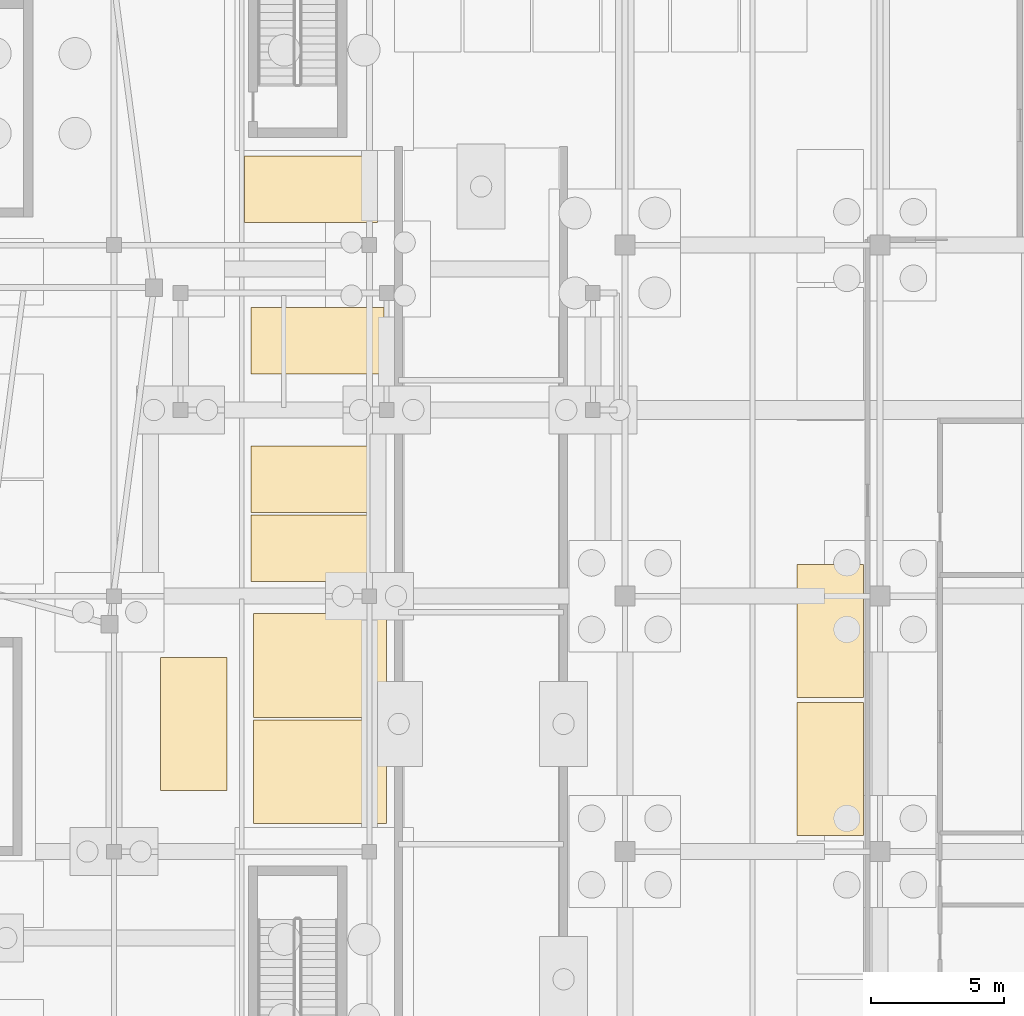
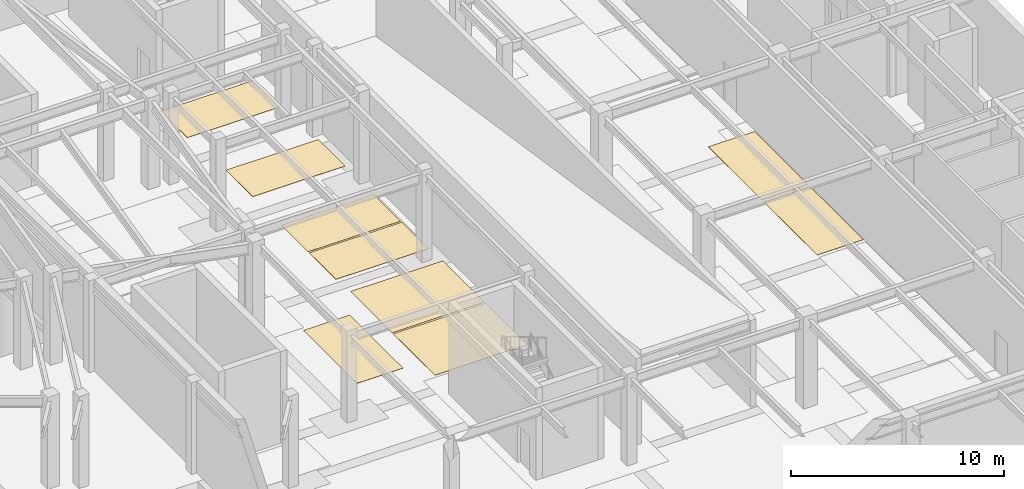
# One storey, part 52 of 55: 9 coverings.
"""IFC4 building model written with IfcOpenShell, lengths in metres."""

from ifc_helpers import new_model, si_unit, direction, frame, origin, origin_2d, place, context, subcontext, project, spatial, rectangle, extrude, material, layer, layer_set, type_object, element, save


model = new_model("IFC4")

# Units and contexts
model_context = context("Model", 3, precision=1e-05, world=origin(), true_north=direction((0.0, 1.0)))
body_context = subcontext(model_context, "Body", "Model", "MODEL_VIEW")
ifc_project = project(units=[si_unit("LENGTHUNIT", "METRE"), si_unit("AREAUNIT", "SQUARE_METRE"), si_unit("VOLUMEUNIT", "CUBIC_METRE"), si_unit("PLANEANGLEUNIT", "RADIAN"), si_unit("MASSUNIT", "GRAM", prefix="KILO")], contexts=[model_context])

# Site, building, storey
site_placement = place(None, origin())
site = spatial("IfcSite", under=ifc_project, at=site_placement, CompositionType="ELEMENT")
building_placement = place(site_placement, origin())
building = spatial("IfcBuilding", under=site, at=building_placement, Name="Almandine Court Research Institute", CompositionType="ELEMENT")
storey_placement = place(building_placement, frame((0.0, 0.0, -5.25)))
storey = spatial("IfcBuildingStorey", under=building, at=storey_placement, Name="B1", CompositionType="ELEMENT", Elevation=-5.25)

# Coverings
ifc_material_1 = material(Name="Accessible Wheelchair Parking Bay Marking")
ifc_layer_1 = layer(ifc_material_1, 0.010009765625)
ifc_layer_set_1 = layer_set([ifc_layer_1], Name="Accessible Wheelchair Parking Bay Marking")
covering_type_1 = type_object("IfcCoveringType", Name="Cov-PARK-ACC", PredefinedType="FLOORING", material=ifc_layer_set_1)
for number, where, z_axis, x_axis, name in (
    (1, (142.14990234375, 37.800048828125, 0.0009765625), (0.0, 0.0, 1.0), (0.0, 1.0, 0.0), "Accessible Parking Bay A03"),
    (2, (142.14990234375, 41.800048828125, 0.0009765625), (0.0, 0.0, 1.0), (0.0, 1.0, 0.0), "Accessible Parking Bay A04"),
):
    element("IfcCovering", number, at=place(storey_placement, frame(where, z_axis=z_axis, x_axis=x_axis)), inside=storey, type_object=covering_type_1, Name=name, PredefinedType="FLOORING", context=body_context, shape_type="SweptSolid", body=[
        extrude(rectangle(XDim=3.89990234375, YDim=5.0, at=origin_2d()), origin(), (0.0, 0.0, 1.0), 0.010009765625),
    ])
ifc_material_2 = material(Name="Resin Traffic-Coated Car Park Stall Marking")
ifc_layer_2 = layer(ifc_material_2, 0.010009765625)
ifc_layer_set_2 = layer_set([ifc_layer_2], Name="Resin Traffic-Coated Car Park Stall Marking")
covering_type_2 = type_object("IfcCoveringType", Name="Cov-PARK-STD", PredefinedType="FLOORING", material=ifc_layer_set_2)
for number, where, z_axis, x_axis, name in (
    (3, (137.39990234375, 39.60009765625, 0.0009765625), (0.0, 0.0, 1.0), (0.0, 1.0, 0.0), "Parking Bay 05"),
    (4, (142.050048828125, 46.199951171875, 0.0009765625), (0.0, 0.0, 1.0), (1.0, 0.0, 0.0), "Parking Bay 07"),
    (5, (142.050048828125, 48.800048828125, 0.0009765625), (0.0, 0.0, 1.0), (1.0, 0.0, 0.0), "Parking Bay 08"),
    (6, (142.050048828125, 54.0, 0.0009765625), (0.0, 0.0, 1.0), (1.0, 0.0, 0.0), "Parking Bay 09"),
    (7, (141.800048828125, 59.699951171875, 0.0009765625), (0.0, 0.0, 1.0), (1.0, 0.0, 0.0), "Parking Bay 21"),
    (8, (161.320068359375, 37.89990234375, 0.0009765625), (0.0, 0.0, 1.0), (0.0, 1.0, 0.0), "Parking Bay 24"),
    (9, (161.320068359375, 43.10009765625, 0.0009765625), (0.0, 0.0, 1.0), (0.0, 1.0, 0.0), "Parking Bay 25"),
):
    element("IfcCovering", number, at=place(storey_placement, frame(where, z_axis=z_axis, x_axis=x_axis)), inside=storey, type_object=covering_type_2, Name=name, PredefinedType="FLOORING", context=body_context, shape_type="SweptSolid", body=[
        extrude(rectangle(XDim=5.0, YDim=2.5, at=origin_2d()), origin(), (0.0, 0.0, 1.0), 0.010009765625),
    ])

save(model, "model.ifc")
